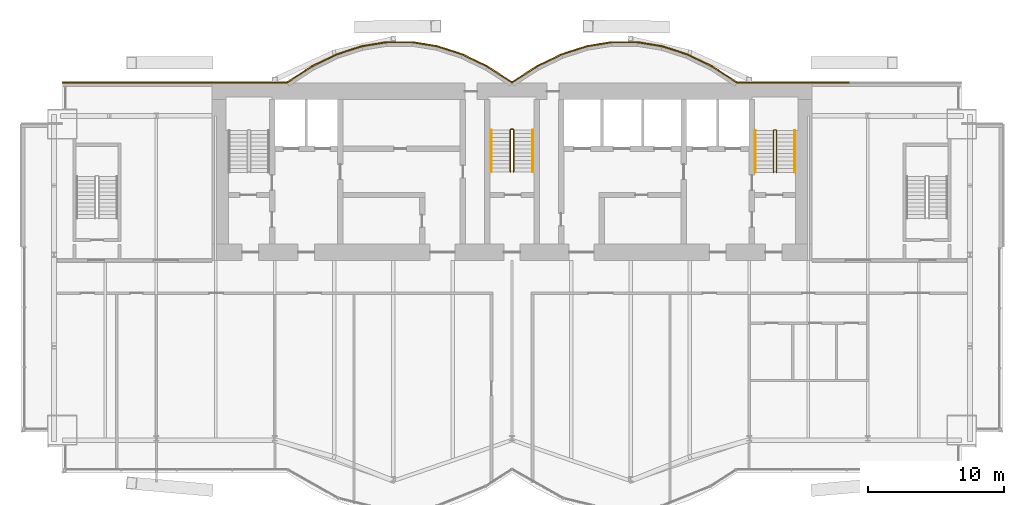
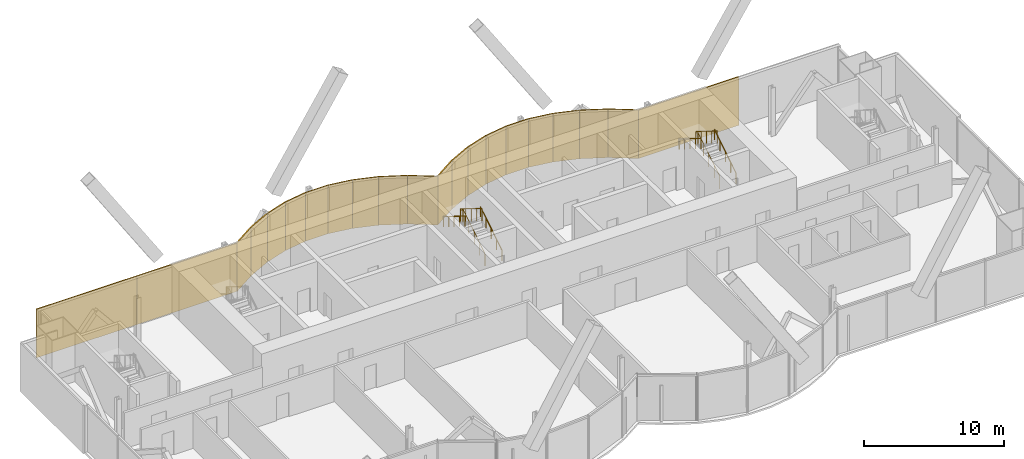
# One storey, part 18 of 19: 21 coverings, 6 railings.
"""IFC4 building model written with IfcOpenShell, lengths in metres."""

from ifc_helpers import new_model, si_unit, direction, frame, origin, origin_2d, place, context, subcontext, project, spatial, rectangle, circle, extrude, material, layer, layer_set, type_object, element, save


model = new_model("IFC4")

# Units and contexts
model_context = context("Model", 3, precision=1e-05, world=origin(), true_north=direction((0.0, 1.0)))
body_context = subcontext(model_context, "Body", "Model", "MODEL_VIEW")
ifc_project = project(units=[si_unit("LENGTHUNIT", "METRE"), si_unit("AREAUNIT", "SQUARE_METRE"), si_unit("VOLUMEUNIT", "CUBIC_METRE"), si_unit("PLANEANGLEUNIT", "RADIAN"), si_unit("MASSUNIT", "GRAM", prefix="KILO")], contexts=[model_context])

# Site, building, storey
site_placement = place(None, origin())
site = spatial("IfcSite", under=ifc_project, at=site_placement, CompositionType="ELEMENT")
building_placement = place(site_placement, origin())
building = spatial("IfcBuilding", under=site, at=building_placement, Name="Bicima Exchange Tower", CompositionType="ELEMENT")
storey_placement = place(building_placement, frame((0.0, 0.0, 270.800048828125)))
storey = spatial("IfcBuildingStorey", under=building, at=storey_placement, Name="L61", CompositionType="ELEMENT", Elevation=270.800048828125)

# Coverings
ifc_material_1 = material(Name="Bronze metal cladding")
ifc_layer_1 = layer(ifc_material_1, 0.004)
ifc_material_2 = material(Name="Ventilated cavity")
ifc_layer_2 = layer(ifc_material_2, 0.06)
ifc_material_3 = material(Name="Galvanised steel rail and mineral wool", Category="steel")
ifc_layer_3 = layer(ifc_material_3, 0.036)
ifc_layer_set = layer_set([ifc_layer_1, ifc_layer_2, ifc_layer_3], Name="Ventilated cavity")
covering_type = type_object("IfcCoveringType", Name="Bronze metal cladding panel 100", PredefinedType="CLADDING", material=ifc_layer_set)
covering_1_placement = place(storey_placement, frame((20.625, 0.050048828125, -0.14990234375), z_axis=(0.0, 0.0, 1.0), x_axis=(-1.0, 0.0, 0.0)))
element("IfcCovering", 1, at=covering_1_placement, inside=storey, type_object=covering_type, Name="Bronze cladding L61 1.2", PredefinedType="CLADDING", context=body_context, shape_type="SweptSolid", body=[
    extrude(rectangle(XDim=8.25, YDim=0.10009765625, at=origin_2d()), origin(), (0.0, 0.0, 1.0), 4.199951171875),
])
covering_2_placement = place(storey_placement, frame((15.610595703125, 0.634521484375, -0.14990234375), z_axis=(0.0, 0.0, 1.0), x_axis=(-0.839790466384, 0.542910648791, 0.0)))
element("IfcCovering", 2, at=covering_2_placement, inside=storey, type_object=covering_type, Name="Bronze cladding L61 2.1", PredefinedType="CLADDING", context=body_context, shape_type="SweptSolid", body=[
    extrude(rectangle(XDim=2.18310546875, YDim=0.10009765625, at=origin_2d()), origin(), (0.0, 0.0, 1.0), 4.199951171875),
])
covering_3_placement = place(storey_placement, frame((13.771728515625, 1.674560546875, -0.14990234375), z_axis=(0.0, 0.0, 1.0), x_axis=(-0.899818346812, 0.436264762204, 0.0)))
element("IfcCovering", 3, at=covering_3_placement, inside=storey, type_object=covering_type, Name="Bronze cladding L61 3.1", PredefinedType="CLADDING", context=body_context, shape_type="SweptSolid", body=[
    extrude(rectangle(XDim=2.03759765625, YDim=0.10009765625, at=origin_2d()), origin(), (0.0, 0.0, 1.0), 4.199951171875),
])
covering_4_placement = place(storey_placement, frame((11.931884765625, 2.41796875, -0.14990234375), z_axis=(0.0, 0.0, 1.0), x_axis=(-0.951524642381, 0.307572519808, 0.0)))
element("IfcCovering", 4, at=covering_4_placement, inside=storey, type_object=covering_type, Name="Bronze cladding L61 4.1", PredefinedType="CLADDING", context=body_context, shape_type="SweptSolid", body=[
    extrude(rectangle(XDim=1.9267578125, YDim=0.10009765625, at=origin_2d()), origin(), (0.0, 0.0, 1.0), 4.199951171875),
])
covering_5_placement = place(storey_placement, frame((10.09130859375, 2.8642578125, -0.14990234375), z_axis=(0.0, 0.0, 1.0), x_axis=(-0.987189786347, 0.159550386184, 0.0)))
element("IfcCovering", 5, at=covering_5_placement, inside=storey, type_object=covering_type, Name="Bronze cladding L61 5.1", PredefinedType="CLADDING", context=body_context, shape_type="SweptSolid", body=[
    extrude(rectangle(XDim=1.857177734375, YDim=0.10009765625, at=origin_2d()), origin(), (0.0, 0.0, 1.0), 4.199951171875),
])
covering_6_placement = place(storey_placement, frame((8.25, 3.012939453125, -0.14990234375), z_axis=(0.0, 0.0, 1.0), x_axis=(-1.0, 0.0, 0.0)))
element("IfcCovering", 6, at=covering_6_placement, inside=storey, type_object=covering_type, Name="Bronze cladding L61 6.1", PredefinedType="CLADDING", context=body_context, shape_type="SweptSolid", body=[
    extrude(rectangle(XDim=1.83349609375, YDim=0.10009765625, at=origin_2d()), origin(), (0.0, 0.0, 1.0), 4.199951171875),
])
covering_7_placement = place(storey_placement, frame((6.40869140625, 2.8642578125, -0.14990234375), z_axis=(0.0, 0.0, 1.0), x_axis=(-0.987189786347, -0.159550386184, 0.0)))
element("IfcCovering", 7, at=covering_7_placement, inside=storey, type_object=covering_type, Name="Bronze cladding L61 7.1", PredefinedType="CLADDING", context=body_context, shape_type="SweptSolid", body=[
    extrude(rectangle(XDim=1.857177734375, YDim=0.10009765625, at=origin_2d()), origin(), (0.0, 0.0, 1.0), 4.199951171875),
])
covering_8_placement = place(storey_placement, frame((4.568115234375, 2.41796875, -0.14990234375), z_axis=(0.0, 0.0, 1.0), x_axis=(-0.951524642381, -0.307572519808, 0.0)))
element("IfcCovering", 8, at=covering_8_placement, inside=storey, type_object=covering_type, Name="Bronze cladding L61 8.1", PredefinedType="CLADDING", context=body_context, shape_type="SweptSolid", body=[
    extrude(rectangle(XDim=1.9267578125, YDim=0.10009765625, at=origin_2d()), origin(), (0.0, 0.0, 1.0), 4.199951171875),
])
covering_9_placement = place(storey_placement, frame((2.728271484375, 1.674560546875, -0.14990234375), z_axis=(0.0, 0.0, 1.0), x_axis=(-0.899818346812, -0.436264762204, 0.0)))
element("IfcCovering", 9, at=covering_9_placement, inside=storey, type_object=covering_type, Name="Bronze cladding L61 9.1", PredefinedType="CLADDING", context=body_context, shape_type="SweptSolid", body=[
    extrude(rectangle(XDim=2.03759765625, YDim=0.10009765625, at=origin_2d()), origin(), (0.0, 0.0, 1.0), 4.199951171875),
])
for number, where, z_axis, x_axis, name in (
    (10, (0.889404296875, 0.634521484375, -0.14990234375), (0.0, 0.0, 1.0), (-0.839790466384, -0.542910648791, 0.0), "Bronze cladding L61 10.1"),
    (11, (-0.889404296875, 0.634521484375, -0.14990234375), (0.0, 0.0, 1.0), (-0.839790466384, 0.542910648791, 0.0), "Bronze cladding L61 11.1"),
):
    element("IfcCovering", number, at=place(storey_placement, frame(where, z_axis=z_axis, x_axis=x_axis)), inside=storey, type_object=covering_type, Name=name, PredefinedType="CLADDING", context=body_context, shape_type="SweptSolid", body=[
        extrude(rectangle(XDim=2.18310546875, YDim=0.10009765625, at=origin_2d()), origin(), (0.0, 0.0, 1.0), 4.199951171875),
    ])
covering_10_placement = place(storey_placement, frame((-2.728271484375, 1.674560546875, -0.14990234375), z_axis=(0.0, 0.0, 1.0), x_axis=(-0.899818346812, 0.436264762204, 0.0)))
element("IfcCovering", 12, at=covering_10_placement, inside=storey, type_object=covering_type, Name="Bronze cladding L61 12.1", PredefinedType="CLADDING", context=body_context, shape_type="SweptSolid", body=[
    extrude(rectangle(XDim=2.03759765625, YDim=0.10009765625, at=origin_2d()), origin(), (0.0, 0.0, 1.0), 4.199951171875),
])
covering_11_placement = place(storey_placement, frame((-4.568115234375, 2.41796875, -0.14990234375), z_axis=(0.0, 0.0, 1.0), x_axis=(-0.951524642381, 0.307572519808, 0.0)))
element("IfcCovering", 13, at=covering_11_placement, inside=storey, type_object=covering_type, Name="Bronze cladding L61 13.1", PredefinedType="CLADDING", context=body_context, shape_type="SweptSolid", body=[
    extrude(rectangle(XDim=1.9267578125, YDim=0.10009765625, at=origin_2d()), origin(), (0.0, 0.0, 1.0), 4.199951171875),
])
covering_12_placement = place(storey_placement, frame((-6.40869140625, 2.8642578125, -0.14990234375), z_axis=(0.0, 0.0, 1.0), x_axis=(-0.987189786347, 0.159550386184, 0.0)))
element("IfcCovering", 14, at=covering_12_placement, inside=storey, type_object=covering_type, Name="Bronze cladding L61 14.1", PredefinedType="CLADDING", context=body_context, shape_type="SweptSolid", body=[
    extrude(rectangle(XDim=1.857177734375, YDim=0.10009765625, at=origin_2d()), origin(), (0.0, 0.0, 1.0), 4.199951171875),
])
covering_13_placement = place(storey_placement, frame((-8.25, 3.012939453125, -0.14990234375), z_axis=(0.0, 0.0, 1.0), x_axis=(-1.0, 0.0, 0.0)))
element("IfcCovering", 15, at=covering_13_placement, inside=storey, type_object=covering_type, Name="Bronze cladding L61 15.1", PredefinedType="CLADDING", context=body_context, shape_type="SweptSolid", body=[
    extrude(rectangle(XDim=1.83349609375, YDim=0.10009765625, at=origin_2d()), origin(), (0.0, 0.0, 1.0), 4.199951171875),
])
covering_14_placement = place(storey_placement, frame((-10.09130859375, 2.8642578125, -0.14990234375), z_axis=(0.0, 0.0, 1.0), x_axis=(-0.987189786347, -0.159550386184, 0.0)))
element("IfcCovering", 16, at=covering_14_placement, inside=storey, type_object=covering_type, Name="Bronze cladding L61 16.1", PredefinedType="CLADDING", context=body_context, shape_type="SweptSolid", body=[
    extrude(rectangle(XDim=1.857177734375, YDim=0.10009765625, at=origin_2d()), origin(), (0.0, 0.0, 1.0), 4.199951171875),
])
covering_15_placement = place(storey_placement, frame((-11.931884765625, 2.41796875, -0.14990234375), z_axis=(0.0, 0.0, 1.0), x_axis=(-0.951524642381, -0.307572519808, 0.0)))
element("IfcCovering", 17, at=covering_15_placement, inside=storey, type_object=covering_type, Name="Bronze cladding L61 17.1", PredefinedType="CLADDING", context=body_context, shape_type="SweptSolid", body=[
    extrude(rectangle(XDim=1.9267578125, YDim=0.10009765625, at=origin_2d()), origin(), (0.0, 0.0, 1.0), 4.199951171875),
])
covering_16_placement = place(storey_placement, frame((-13.771728515625, 1.674560546875, -0.14990234375), z_axis=(0.0, 0.0, 1.0), x_axis=(-0.899818346812, -0.436264762204, 0.0)))
element("IfcCovering", 18, at=covering_16_placement, inside=storey, type_object=covering_type, Name="Bronze cladding L61 18.1", PredefinedType="CLADDING", context=body_context, shape_type="SweptSolid", body=[
    extrude(rectangle(XDim=2.03759765625, YDim=0.10009765625, at=origin_2d()), origin(), (0.0, 0.0, 1.0), 4.199951171875),
])
covering_17_placement = place(storey_placement, frame((-15.610595703125, 0.634521484375, -0.14990234375), z_axis=(0.0, 0.0, 1.0), x_axis=(-0.839790466384, -0.542910648791, 0.0)))
element("IfcCovering", 19, at=covering_17_placement, inside=storey, type_object=covering_type, Name="Bronze cladding L61 19.1", PredefinedType="CLADDING", context=body_context, shape_type="SweptSolid", body=[
    extrude(rectangle(XDim=2.18310546875, YDim=0.10009765625, at=origin_2d()), origin(), (0.0, 0.0, 1.0), 4.199951171875),
])
for number, where, z_axis, x_axis, name in (
    (20, (-20.625, 0.050048828125, -0.14990234375), (0.0, 0.0, 1.0), (-1.0, 0.0, 0.0), "Bronze cladding L61 20.1"),
    (21, (-28.875, 0.050048828125, -0.14990234375), (0.0, 0.0, 1.0), (-1.0, 0.0, 0.0), "Bronze cladding L61 20.2"),
):
    element("IfcCovering", number, at=place(storey_placement, frame(where, z_axis=z_axis, x_axis=x_axis)), inside=storey, type_object=covering_type, Name=name, PredefinedType="CLADDING", context=body_context, shape_type="SweptSolid", body=[
        extrude(rectangle(XDim=8.25, YDim=0.10009765625, at=origin_2d()), origin(), (0.0, 0.0, 1.0), 4.199951171875),
    ])

# Railings
ifc_material_4 = material(Name="Stainless steel", Category="steel")
railing_type_1 = type_object("IfcRailingType", Name="Stair guard 1100", PredefinedType="GUARDRAIL", material=ifc_material_4)
railing_1_placement = place(storey_placement, frame((0.125, -6.5, 0.175048828125)))
element("IfcRailing", 22, at=railing_1_placement, inside=storey, type_object=railing_type_1, Name="L61 ST-C stair guard 1", PredefinedType="GUARDRAIL", context=body_context, shape_type="SweptSolid", body=[
    extrude(circle(Radius=0.02392578125, at=origin_2d()), frame((0.0, 0.0, 1.076171875), z_axis=(0.0, 0.848028513186, 0.529950602248), x_axis=(-1.0, 0.0, 0.0)), (0.0, 0.0, 1.0), 3.632080078125),
    extrude(circle(Radius=0.02392578125, at=origin_2d()), frame((0.0, 3.080078125, 3.0009765625), z_axis=(-0.708833529934, 0.705375805398, 0.0), x_axis=(-0.705375805398, -0.708833529934, 0.0)), (0.0, 0.0, 1.0), 0.070556640625),
    extrude(circle(Radius=0.02392578125, at=origin_2d()), frame((-0.050048828125, 3.1298828125, 3.0009765625), z_axis=(-1.0, 0.0, 0.0), x_axis=(0.0, -1.0, 0.0)), (0.0, 0.0, 1.0), 0.14990234375),
    extrude(circle(Radius=0.02392578125, at=origin_2d()), frame((-0.199951171875, 3.1298828125, 3.0009765625), z_axis=(-0.265155923931, -0.263862480399, 0.927399011991), x_axis=(0.705375805398, -0.708833529934, 0.0)), (0.0, 0.0, 1.0), 0.188720703125),
    extrude(circle(Radius=0.02392578125, at=origin_2d()), frame((-0.25, 3.080078125, 3.17578125), z_axis=(0.0, -0.847998304005, 0.529998940003), x_axis=(1.0, 0.0, 0.0)), (0.0, 0.0, 1.0), 3.632080078125),
    extrude(circle(Radius=0.02099609375, at=origin_2d()), origin(), (0.0, 0.0, 1.0), 1.052001953125),
    extrude(circle(Radius=0.02099609375, at=origin_2d()), frame((0.0, 0.77001953125, 0.481201171875)), (0.0, 0.0, 1.0), 1.052001953125),
    extrude(circle(Radius=0.02099609375, at=origin_2d()), frame((0.0, 1.5400390625, 0.96240234375)), (0.0, 0.0, 1.0), 1.052001953125),
    extrude(circle(Radius=0.02099609375, at=origin_2d()), frame((0.0, 2.31005859375, 1.443603515625)), (0.0, 0.0, 1.0), 1.052001953125),
    extrude(circle(Radius=0.02099609375, at=origin_2d()), frame((0.0, 3.080078125, 1.9248046875)), (0.0, 0.0, 1.0), 1.052001953125),
    extrude(circle(Radius=0.02099609375, at=origin_2d()), frame((-0.050048828125, 3.1298828125, 1.9248046875)), (0.0, 0.0, 1.0), 1.052001953125),
    extrude(circle(Radius=0.02099609375, at=origin_2d()), frame((-0.199951171875, 3.1298828125, 1.9248046875)), (0.0, 0.0, 1.0), 1.052001953125),
    extrude(circle(Radius=0.02099609375, at=origin_2d()), frame((-0.25, 3.080078125, 2.099853515625)), (0.0, 0.0, 1.0), 1.052001953125),
    extrude(circle(Radius=0.02099609375, at=origin_2d()), frame((-0.25, 2.31005859375, 2.5810546875)), (0.0, 0.0, 1.0), 1.052001953125),
    extrude(circle(Radius=0.02099609375, at=origin_2d()), frame((-0.25, 1.5400390625, 3.0625)), (0.0, 0.0, 1.0), 1.052001953125),
    extrude(circle(Radius=0.02099609375, at=origin_2d()), frame((-0.25, 0.77001953125, 3.543701171875)), (0.0, 0.0, 1.0), 1.052001953125),
    extrude(circle(Radius=0.02099609375, at=origin_2d()), frame((-0.25, 0.0, 4.02490234375)), (0.0, 0.0, 1.0), 1.052001953125),
])
railing_2_placement = place(storey_placement, frame((19.39990234375, -6.550048828125, 0.175048828125)))
element("IfcRailing", 23, at=railing_2_placement, inside=storey, type_object=railing_type_1, Name="L61 ST-E stair guard 1", PredefinedType="GUARDRAIL", context=body_context, shape_type="SweptSolid", body=[
    extrude(circle(Radius=0.02392578125, at=origin_2d()), frame((0.0, 0.0, 1.076171875), z_axis=(0.0, 0.848028513186, 0.529950602248), x_axis=(-1.0, 0.0, 0.0)), (0.0, 0.0, 1.0), 3.632080078125),
    extrude(circle(Radius=0.02392578125, at=origin_2d()), frame((0.0, 3.080078125, 3.0009765625), z_axis=(-0.705375805398, 0.708833529934, 0.0), x_axis=(-0.708833529934, -0.705375805398, 0.0)), (0.0, 0.0, 1.0), 0.070556640625),
    extrude(circle(Radius=0.02392578125, at=origin_2d()), frame((-0.0498046875, 3.130126953125, 3.0009765625), z_axis=(-1.0, 0.0, 0.0), x_axis=(0.0, -1.0, 0.0)), (0.0, 0.0, 1.0), 0.10009765625),
    extrude(circle(Radius=0.02392578125, at=origin_2d()), frame((-0.14990234375, 3.130126953125, 3.0009765625), z_axis=(-0.265065253269, -0.265065253269, 0.927081885822), x_axis=(0.707106781187, -0.707106781187, 0.0)), (0.0, 0.0, 1.0), 0.188720703125),
    extrude(circle(Radius=0.02392578125, at=origin_2d()), frame((-0.199951171875, 3.080078125, 3.17578125), z_axis=(0.0, -0.847998304005, 0.529998940003), x_axis=(1.0, 0.0, 0.0)), (0.0, 0.0, 1.0), 3.632080078125),
    extrude(circle(Radius=0.02099609375, at=origin_2d()), origin(), (0.0, 0.0, 1.0), 1.052001953125),
    extrude(circle(Radius=0.02099609375, at=origin_2d()), frame((0.0, 0.77001953125, 0.481201171875)), (0.0, 0.0, 1.0), 1.052001953125),
    extrude(circle(Radius=0.02099609375, at=origin_2d()), frame((0.0, 1.5400390625, 0.96240234375)), (0.0, 0.0, 1.0), 1.052001953125),
    extrude(circle(Radius=0.02099609375, at=origin_2d()), frame((0.0, 2.31005859375, 1.443603515625)), (0.0, 0.0, 1.0), 1.052001953125),
    extrude(circle(Radius=0.02099609375, at=origin_2d()), frame((0.0, 3.080078125, 1.9248046875)), (0.0, 0.0, 1.0), 1.052001953125),
    extrude(circle(Radius=0.02099609375, at=origin_2d()), frame((-0.0498046875, 3.130126953125, 1.9248046875)), (0.0, 0.0, 1.0), 1.052001953125),
    extrude(circle(Radius=0.02099609375, at=origin_2d()), frame((-0.14990234375, 3.130126953125, 1.9248046875)), (0.0, 0.0, 1.0), 1.052001953125),
    extrude(circle(Radius=0.02099609375, at=origin_2d()), frame((-0.199951171875, 3.080078125, 2.099853515625)), (0.0, 0.0, 1.0), 1.052001953125),
    extrude(circle(Radius=0.02099609375, at=origin_2d()), frame((-0.199951171875, 2.31005859375, 2.5810546875)), (0.0, 0.0, 1.0), 1.052001953125),
    extrude(circle(Radius=0.02099609375, at=origin_2d()), frame((-0.199951171875, 1.5400390625, 3.0625)), (0.0, 0.0, 1.0), 1.052001953125),
    extrude(circle(Radius=0.02099609375, at=origin_2d()), frame((-0.199951171875, 0.77001953125, 3.543701171875)), (0.0, 0.0, 1.0), 1.052001953125),
    extrude(circle(Radius=0.02099609375, at=origin_2d()), frame((-0.199951171875, 0.0, 4.02490234375)), (0.0, 0.0, 1.0), 1.052001953125),
])
railing_type_2 = type_object("IfcRailingType", Name="Stair handrail 900", PredefinedType="HANDRAIL", material=ifc_material_4)
railing_3_placement = place(storey_placement, frame((1.52490234375, -6.5, 0.175048828125)))
element("IfcRailing", 24, at=railing_3_placement, inside=storey, type_object=railing_type_2, Name="L61 ST-C stair handrail 1", PredefinedType="HANDRAIL", context=body_context, shape_type="SweptSolid", body=[
    extrude(circle(Radius=0.02392578125, at=origin_2d()), frame((0.0, 0.0, 0.8759765625), z_axis=(0.0, 0.848028513186, 0.529950602248), x_axis=(-1.0, 0.0, 0.0)), (0.0, 0.0, 1.0), 3.632080078125),
    extrude(circle(Radius=0.02099609375, at=origin_2d()), origin(), (0.0, 0.0, 1.0), 0.851806640625),
    extrude(circle(Radius=0.02099609375, at=origin_2d()), frame((0.0, 0.77001953125, 0.481201171875)), (0.0, 0.0, 1.0), 0.851806640625),
    extrude(circle(Radius=0.02099609375, at=origin_2d()), frame((0.0, 1.5400390625, 0.96240234375)), (0.0, 0.0, 1.0), 0.851806640625),
    extrude(circle(Radius=0.02099609375, at=origin_2d()), frame((0.0, 2.31005859375, 1.443603515625)), (0.0, 0.0, 1.0), 0.851806640625),
    extrude(circle(Radius=0.02099609375, at=origin_2d()), frame((0.0, 3.080078125, 1.9248046875)), (0.0, 0.0, 1.0), 0.851806640625),
])
railing_4_placement = place(storey_placement, frame((-1.52490234375, -3.419921875, 2.303955078125)))
element("IfcRailing", 25, at=railing_4_placement, inside=storey, type_object=railing_type_2, Name="L61 ST-C stair handrail 2", PredefinedType="HANDRAIL", context=body_context, shape_type="SweptSolid", body=[
    extrude(circle(Radius=0.02392578125, at=origin_2d()), frame((0.0, 0.0, 0.8759765625), z_axis=(0.0, -0.847998304005, 0.529998940003), x_axis=(1.0, 0.0, 0.0)), (0.0, 0.0, 1.0), 3.632080078125),
    extrude(circle(Radius=0.02099609375, at=origin_2d()), origin(), (0.0, 0.0, 1.0), 0.851806640625),
    extrude(circle(Radius=0.02099609375, at=origin_2d()), frame((0.0, -0.77001953125, 0.481201171875)), (0.0, 0.0, 1.0), 0.851806640625),
    extrude(circle(Radius=0.02099609375, at=origin_2d()), frame((0.0, -1.5400390625, 0.96240234375)), (0.0, 0.0, 1.0), 0.851806640625),
    extrude(circle(Radius=0.02099609375, at=origin_2d()), frame((0.0, -2.31005859375, 1.44384765625)), (0.0, 0.0, 1.0), 0.851806640625),
    extrude(circle(Radius=0.02099609375, at=origin_2d()), frame((0.0, -3.080078125, 1.925048828125)), (0.0, 0.0, 1.0), 0.851806640625),
])
railing_5_placement = place(storey_placement, frame((20.75, -6.550048828125, 0.175048828125)))
element("IfcRailing", 26, at=railing_5_placement, inside=storey, type_object=railing_type_2, Name="L61 ST-E stair handrail 1", PredefinedType="HANDRAIL", context=body_context, shape_type="SweptSolid", body=[
    extrude(circle(Radius=0.02392578125, at=origin_2d()), frame((0.0, 0.0, 0.8759765625), z_axis=(0.0, 0.848028513186, 0.529950602248), x_axis=(-1.0, 0.0, 0.0)), (0.0, 0.0, 1.0), 3.632080078125),
    extrude(circle(Radius=0.02099609375, at=origin_2d()), origin(), (0.0, 0.0, 1.0), 0.851806640625),
    extrude(circle(Radius=0.02099609375, at=origin_2d()), frame((0.0, 0.77001953125, 0.481201171875)), (0.0, 0.0, 1.0), 0.851806640625),
    extrude(circle(Radius=0.02099609375, at=origin_2d()), frame((0.0, 1.5400390625, 0.96240234375)), (0.0, 0.0, 1.0), 0.851806640625),
    extrude(circle(Radius=0.02099609375, at=origin_2d()), frame((0.0, 2.31005859375, 1.443603515625)), (0.0, 0.0, 1.0), 0.851806640625),
    extrude(circle(Radius=0.02099609375, at=origin_2d()), frame((0.0, 3.080078125, 1.9248046875)), (0.0, 0.0, 1.0), 0.851806640625),
])
railing_6_placement = place(storey_placement, frame((17.85009765625, -3.469970703125, 2.303955078125)))
element("IfcRailing", 27, at=railing_6_placement, inside=storey, type_object=railing_type_2, Name="L61 ST-E stair handrail 2", PredefinedType="HANDRAIL", context=body_context, shape_type="SweptSolid", body=[
    extrude(circle(Radius=0.02392578125, at=origin_2d()), frame((0.0, 0.0, 0.8759765625), z_axis=(0.0, -0.847998304005, 0.529998940003), x_axis=(1.0, 0.0, 0.0)), (0.0, 0.0, 1.0), 3.632080078125),
    extrude(circle(Radius=0.02099609375, at=origin_2d()), origin(), (0.0, 0.0, 1.0), 0.851806640625),
    extrude(circle(Radius=0.02099609375, at=origin_2d()), frame((0.0, -0.77001953125, 0.481201171875)), (0.0, 0.0, 1.0), 0.851806640625),
    extrude(circle(Radius=0.02099609375, at=origin_2d()), frame((0.0, -1.5400390625, 0.96240234375)), (0.0, 0.0, 1.0), 0.851806640625),
    extrude(circle(Radius=0.02099609375, at=origin_2d()), frame((0.0, -2.31005859375, 1.44384765625)), (0.0, 0.0, 1.0), 0.851806640625),
    extrude(circle(Radius=0.02099609375, at=origin_2d()), frame((0.0, -3.080078125, 1.925048828125)), (0.0, 0.0, 1.0), 0.851806640625),
])

save(model, "model.ifc")
